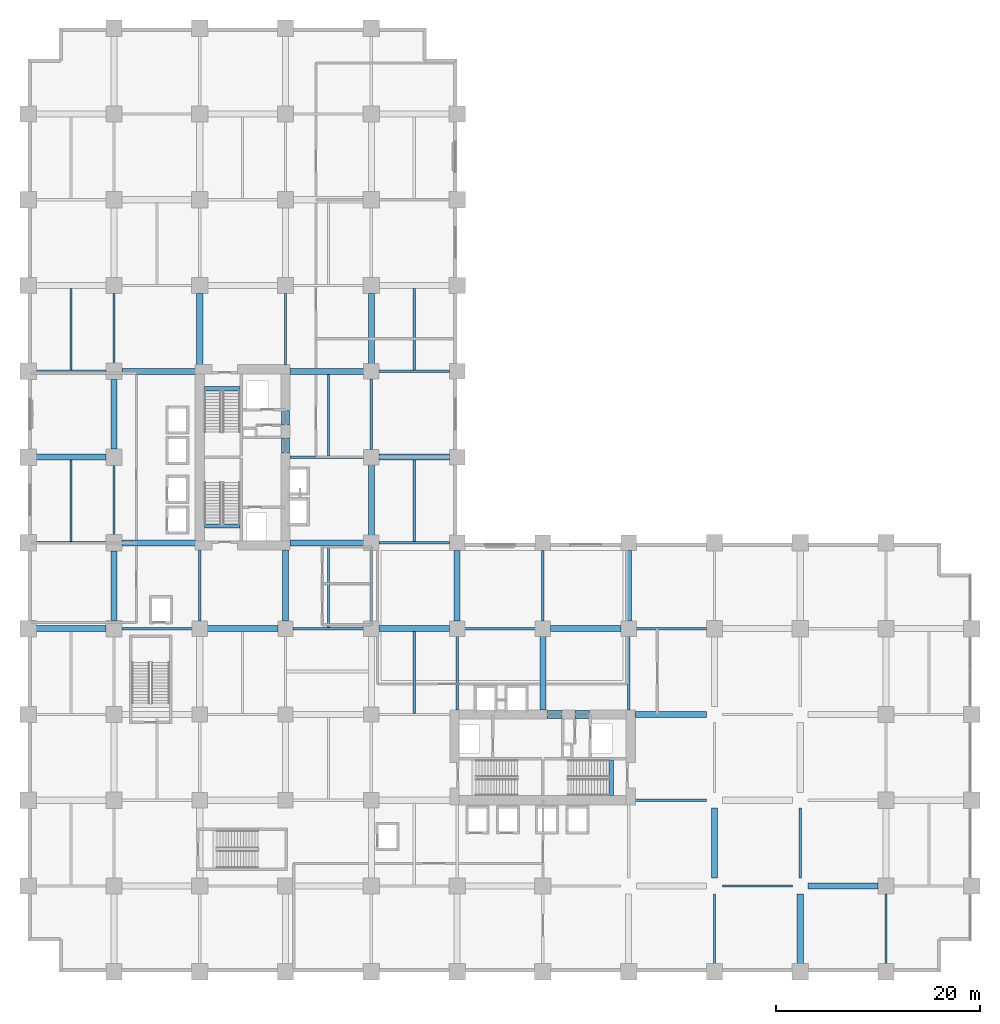
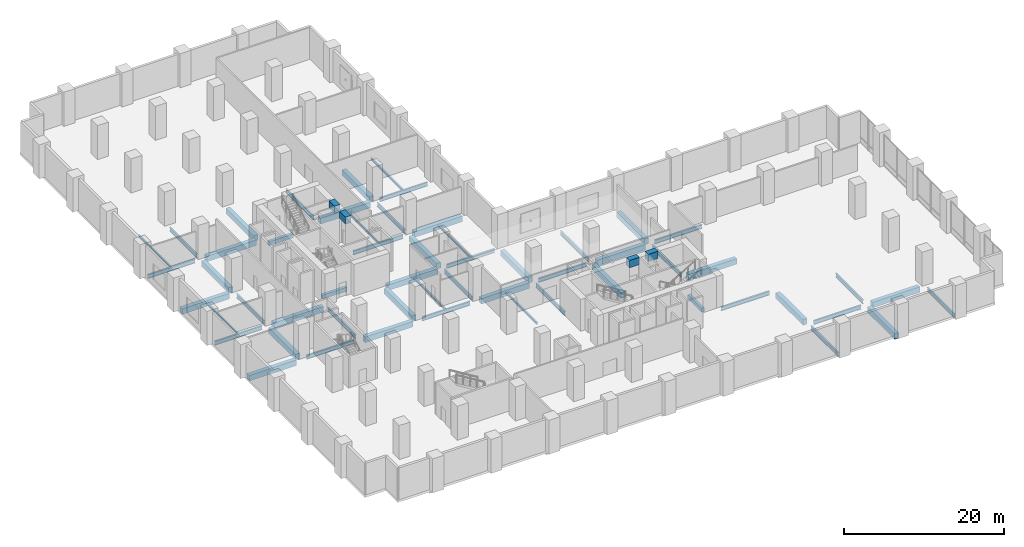
# One storey, part 2 of 19: 60 beams.
"""IFC4 building model written with IfcOpenShell, lengths in metres."""

from ifc_helpers import new_model, si_unit, direction, frame, origin, origin_2d, place, context, subcontext, project, spatial, rectangle, i_section, extrude, material, material_profile, profile_set, type_object, element, save


model = new_model("IFC4")

# Units and contexts
model_context = context("Model", 3, precision=1e-05, world=origin(), true_north=direction((0.0, 1.0)))
body_context = subcontext(model_context, "Body", "Model", "MODEL_VIEW")
ifc_project = project(units=[si_unit("LENGTHUNIT", "METRE"), si_unit("AREAUNIT", "SQUARE_METRE"), si_unit("VOLUMEUNIT", "CUBIC_METRE"), si_unit("PLANEANGLEUNIT", "RADIAN"), si_unit("MASSUNIT", "GRAM", prefix="KILO")], contexts=[model_context])

# Site, building, storey
site_placement = place(None, origin())
site = spatial("IfcSite", under=ifc_project, at=site_placement, CompositionType="ELEMENT")
building_placement = place(site_placement, origin())
building = spatial("IfcBuilding", under=site, at=building_placement, Name="Koriwani Terraces Tower", CompositionType="ELEMENT")
storey_placement = place(building_placement, frame((0.0, 0.0, 15.60009765625)))
storey = spatial("IfcBuildingStorey", under=building, at=storey_placement, Name="L03", CompositionType="ELEMENT", Elevation=15.60009765625)

# Beams
ifc_material_1 = material(Name="Concrete C60/75", Category="concrete")
ifc_material_profile_1 = material_profile(ifc_material_1, rectangle(XDim=0.800048828125, YDim=1.10009765625, at=origin_2d()), Name="Concrete C60/75", Category="LoadBearing")
ifc_profile_set_1 = profile_set([ifc_material_profile_1], Name="Concrete C60/75")
beam_type_1 = type_object("IfcBeamType", Name="BEAM_RC_COUPLING_800X1100", PredefinedType="LINTEL", material=ifc_profile_set_1)
beam_1_placement = place(storey_placement, frame((25.199951171875, 50.800048828125, 4.2998046875), z_axis=(0.0, 1.0, 0.0), x_axis=(-1.0, 0.0, 0.0)))
element("IfcBeam", 1, at=beam_1_placement, inside=storey, type_object=beam_type_1, Name="L03 Core Coupling Lintel Beam WE1", PredefinedType="LINTEL", context=body_context, shape_type="SweptSolid", body=[
    extrude(rectangle(XDim=0.800048828125, YDim=1.10009765625, at=origin_2d()), origin(), (0.0, 0.0, 1.0), 1.47998046875),
])
beam_2_placement = place(storey_placement, frame((25.199951171875, 53.550048828125, 4.2998046875), z_axis=(0.0, 1.0, 0.0), x_axis=(-1.0, 0.0, 0.0)))
element("IfcBeam", 2, at=beam_2_placement, inside=storey, type_object=beam_type_1, Name="L03 Core Coupling Lintel Beam WE2", PredefinedType="LINTEL", context=body_context, shape_type="SweptSolid", body=[
    extrude(rectangle(XDim=0.800048828125, YDim=1.10009765625, at=origin_2d()), origin(), (0.0, 0.0, 1.0), 1.39990234375),
])
beam_3_placement = place(storey_placement, frame((50.800048828125, 25.199951171875, 4.2998046875), z_axis=(1.0, 0.0, 0.0), x_axis=(0.0, 1.0, 0.0)))
element("IfcBeam", 3, at=beam_3_placement, inside=storey, type_object=beam_type_1, Name="L03 Core Coupling Lintel Beam EN1", PredefinedType="LINTEL", context=body_context, shape_type="SweptSolid", body=[
    extrude(rectangle(XDim=0.800048828125, YDim=1.10009765625, at=origin_2d()), origin(), (0.0, 0.0, 1.0), 1.47998046875),
])
beam_4_placement = place(storey_placement, frame((53.550048828125, 25.199951171875, 4.2998046875), z_axis=(1.0, 0.0, 0.0), x_axis=(0.0, 1.0, 0.0)))
element("IfcBeam", 4, at=beam_4_placement, inside=storey, type_object=beam_type_1, Name="L03 Core Coupling Lintel Beam EN2", PredefinedType="LINTEL", context=body_context, shape_type="SweptSolid", body=[
    extrude(rectangle(XDim=0.800048828125, YDim=1.10009765625, at=origin_2d()), origin(), (0.0, 0.0, 1.0), 1.39990234375),
])
ifc_material_2 = material(Name="Concrete C40/50", Category="concrete")
ifc_material_profile_2 = material_profile(ifc_material_2, rectangle(XDim=0.39990234375, YDim=0.60009765625, at=origin_2d()), Name="Concrete C40/50", Category="LoadBearing")
ifc_profile_set_2 = profile_set([ifc_material_profile_2], Name="Concrete C40/50")
beam_type_2 = type_object("IfcBeamType", Name="BEAM_RC_GRID_400X600", PredefinedType="BEAM", material=ifc_profile_set_2)
for number, where, z_axis, x_axis, name in (
    (5, (17.25, 43.655029296875, -0.300048828125), (1.0, 0.0, 0.0), (0.0, 1.0, 0.0), "L03 Stairwell Header Trimmer Beam ST-W1"),
    (6, (17.25, 57.094970703125, -0.300048828125), (1.0, 0.0, 0.0), (0.0, 1.0, 0.0), "L03 Stairwell Header Trimmer Beam ST-W2"),
    (7, (57.094970703125, 17.25, -0.300048828125), (0.0, 1.0, 0.0), (-1.0, 0.0, 0.0), "L03 Stairwell Header Trimmer Beam ST-E2"),
):
    element("IfcBeam", number, at=place(storey_placement, frame(where, z_axis=z_axis, x_axis=x_axis)), inside=storey, type_object=beam_type_2, Name=name, PredefinedType="BEAM", context=body_context, shape_type="SweptSolid", body=[
        extrude(rectangle(XDim=0.39990234375, YDim=0.60009765625, at=origin_2d()), origin(), (0.0, 0.0, 1.0), 3.5),
    ])
ifc_material_profile_3 = material_profile(ifc_material_1, rectangle(XDim=0.60009765625, YDim=0.85009765625, at=origin_2d()), Name="Concrete C60/75", Category="LoadBearing")
ifc_profile_set_3 = profile_set([ifc_material_profile_3], Name="Concrete C60/75")
beam_type_3 = type_object("IfcBeamType", Name="BEAM_RC_GRID_600X850", PredefinedType="BEAM", material=ifc_profile_set_3)
beam_5_placement = place(storey_placement, frame((76.3798828125, 8.39990234375, -0.775146484375), z_axis=(1.0, 0.0, 0.0), x_axis=(0.0, 1.0, 0.0)))
element("IfcBeam", 8, at=beam_5_placement, inside=storey, type_object=beam_type_3, Name="L03 Grid Beam B (75.6-84.0m)", PredefinedType="BEAM", context=body_context, shape_type="SweptSolid", body=[
    extrude(rectangle(XDim=0.60009765625, YDim=0.85009765625, at=origin_2d()), origin(), (0.0, 0.0, 1.0), 6.840087890625),
])
beam_6_placement = place(storey_placement, frame((59.429931640625, 25.199951171875, -0.775146484375), z_axis=(1.0, 0.0, 0.0), x_axis=(0.0, 1.0, 0.0)))
element("IfcBeam", 9, at=beam_6_placement, inside=storey, type_object=beam_type_3, Name="L03 Grid Beam D (58.8-67.2m)", PredefinedType="BEAM", context=body_context, shape_type="SweptSolid", body=[
    extrude(rectangle(XDim=0.60009765625, YDim=0.85009765625, at=origin_2d()), origin(), (0.0, 0.0, 1.0), 6.989990234375),
])
beam_7_placement = place(storey_placement, frame((0.780029296875, 33.60009765625, -0.775146484375), z_axis=(1.0, 0.0, 0.0), x_axis=(0.0, 1.0, 0.0)))
element("IfcBeam", 10, at=beam_7_placement, inside=storey, type_object=beam_type_3, Name="L03 Grid Beam E (0.0-8.4m)", PredefinedType="BEAM", context=body_context, shape_type="SweptSolid", body=[
    extrude(rectangle(XDim=0.60009765625, YDim=0.85009765625, at=origin_2d()), origin(), (0.0, 0.0, 1.0), 6.840087890625),
])
for number, where, z_axis, x_axis, name in (
    (11, (17.530029296875, 33.60009765625, -0.775146484375), (1.0, 0.0, 0.0), (0.0, 1.0, 0.0), "L03 Grid Beam E (16.8-25.2m)"),
    (12, (34.330078125, 33.60009765625, -0.775146484375), (1.0, 0.0, 0.0), (0.0, 1.0, 0.0), "L03 Grid Beam E (33.6-42.0m)"),
):
    element("IfcBeam", number, at=place(storey_placement, frame(where, z_axis=z_axis, x_axis=x_axis)), inside=storey, type_object=beam_type_3, Name=name, PredefinedType="BEAM", context=body_context, shape_type="SweptSolid", body=[
        extrude(rectangle(XDim=0.60009765625, YDim=0.85009765625, at=origin_2d()), origin(), (0.0, 0.0, 1.0), 6.93994140625),
    ])
beam_8_placement = place(storey_placement, frame((51.1298828125, 33.60009765625, -0.775146484375), z_axis=(1.0, 0.0, 0.0), x_axis=(0.0, 1.0, 0.0)))
element("IfcBeam", 13, at=beam_8_placement, inside=storey, type_object=beam_type_3, Name="L03 Grid Beam E (50.4-58.8m)", PredefinedType="BEAM", context=body_context, shape_type="SweptSolid", body=[
    extrude(rectangle(XDim=0.60009765625, YDim=0.85009765625, at=origin_2d()), origin(), (0.0, 0.0, 1.0), 6.940185546875),
])
beam_9_placement = place(storey_placement, frame((9.179931640625, 42.0, -0.775146484375), z_axis=(1.0, 0.0, 0.0), x_axis=(0.0, 1.0, 0.0)))
element("IfcBeam", 14, at=beam_9_placement, inside=storey, type_object=beam_type_3, Name="L03 Grid Beam F (8.4-16.8m)", PredefinedType="BEAM", context=body_context, shape_type="SweptSolid", body=[
    extrude(rectangle(XDim=0.60009765625, YDim=0.85009765625, at=origin_2d()), origin(), (0.0, 0.0, 1.0), 7.190185546875),
])
beam_10_placement = place(storey_placement, frame((25.6298828125, 42.0, -0.775146484375), z_axis=(1.0, 0.0, 0.0), x_axis=(0.0, 1.0, 0.0)))
element("IfcBeam", 15, at=beam_10_placement, inside=storey, type_object=beam_type_3, Name="L03 Grid Beam F (25.2-33.6m)", PredefinedType="BEAM", context=body_context, shape_type="SweptSolid", body=[
    extrude(rectangle(XDim=0.60009765625, YDim=0.85009765625, at=origin_2d()), origin(), (0.0, 0.0, 1.0), 7.240234375),
])
beam_11_placement = place(storey_placement, frame((0.780029296875, 50.39990234375, -0.775146484375), z_axis=(1.0, 0.0, 0.0), x_axis=(0.0, 1.0, 0.0)))
element("IfcBeam", 16, at=beam_11_placement, inside=storey, type_object=beam_type_3, Name="L03 Grid Beam G (0.0-8.4m)", PredefinedType="BEAM", context=body_context, shape_type="SweptSolid", body=[
    extrude(rectangle(XDim=0.60009765625, YDim=0.85009765625, at=origin_2d()), origin(), (0.0, 0.0, 1.0), 6.840087890625),
])
beam_12_placement = place(storey_placement, frame((34.330078125, 50.39990234375, -0.775146484375), z_axis=(1.0, 0.0, 0.0), x_axis=(0.0, 1.0, 0.0)))
element("IfcBeam", 17, at=beam_12_placement, inside=storey, type_object=beam_type_3, Name="L03 Grid Beam G (33.6-42.0m)", PredefinedType="BEAM", context=body_context, shape_type="SweptSolid", body=[
    extrude(rectangle(XDim=0.60009765625, YDim=0.85009765625, at=origin_2d()), origin(), (0.0, 0.0, 1.0), 6.93994140625),
])
beam_13_placement = place(storey_placement, frame((9.179931640625, 58.800048828125, -0.775146484375), z_axis=(1.0, 0.0, 0.0), x_axis=(0.0, 1.0, 0.0)))
element("IfcBeam", 18, at=beam_13_placement, inside=storey, type_object=beam_type_3, Name="L03 Grid Beam H (8.4-16.8m)", PredefinedType="BEAM", context=body_context, shape_type="SweptSolid", body=[
    extrude(rectangle(XDim=0.60009765625, YDim=0.85009765625, at=origin_2d()), origin(), (0.0, 0.0, 1.0), 7.190185546875),
])
beam_14_placement = place(storey_placement, frame((25.6298828125, 58.800048828125, -0.775146484375), z_axis=(1.0, 0.0, 0.0), x_axis=(0.0, 1.0, 0.0)))
element("IfcBeam", 19, at=beam_14_placement, inside=storey, type_object=beam_type_3, Name="L03 Grid Beam H (25.2-33.6m)", PredefinedType="BEAM", context=body_context, shape_type="SweptSolid", body=[
    extrude(rectangle(XDim=0.60009765625, YDim=0.85009765625, at=origin_2d()), origin(), (0.0, 0.0, 1.0), 7.240234375),
])
for number, where, z_axis, x_axis, name in (
    (20, (8.39990234375, 34.3798828125, -0.775146484375), (0.0, 1.0, 0.0), (-1.0, 0.0, 0.0), "L03 Grid Beam 2 (33.6-42.0m)"),
    (21, (8.39990234375, 51.179931640625, -0.775146484375), (0.0, 1.0, 0.0), (-1.0, 0.0, 0.0), "L03 Grid Beam 2 (50.4-58.8m)"),
):
    element("IfcBeam", number, at=place(storey_placement, frame(where, z_axis=z_axis, x_axis=x_axis)), inside=storey, type_object=beam_type_3, Name=name, PredefinedType="BEAM", context=body_context, shape_type="SweptSolid", body=[
        extrude(rectangle(XDim=0.60009765625, YDim=0.85009765625, at=origin_2d()), origin(), (0.0, 0.0, 1.0), 6.840087890625),
    ])
for number, where, z_axis, x_axis, name in (
    (22, (16.800048828125, 59.429931640625, -0.775146484375), (0.0, 1.0, 0.0), (-1.0, 0.0, 0.0), "L03 Grid Beam 3 (58.8-67.2m)"),
    (23, (25.199951171875, 34.330078125, -0.775146484375), (0.0, 1.0, 0.0), (-1.0, 0.0, 0.0), "L03 Grid Beam 4 (33.6-42.0m)"),
):
    element("IfcBeam", number, at=place(storey_placement, frame(where, z_axis=z_axis, x_axis=x_axis)), inside=storey, type_object=beam_type_3, Name=name, PredefinedType="BEAM", context=body_context, shape_type="SweptSolid", body=[
        extrude(rectangle(XDim=0.60009765625, YDim=0.85009765625, at=origin_2d()), origin(), (0.0, 0.0, 1.0), 6.989990234375),
    ])
beam_15_placement = place(storey_placement, frame((33.60009765625, 42.72998046875, -0.775146484375), z_axis=(0.0, 1.0, 0.0), x_axis=(-1.0, 0.0, 0.0)))
element("IfcBeam", 24, at=beam_15_placement, inside=storey, type_object=beam_type_3, Name="L03 Grid Beam 5 (42.0-50.4m)", PredefinedType="BEAM", context=body_context, shape_type="SweptSolid", body=[
    extrude(rectangle(XDim=0.60009765625, YDim=0.85009765625, at=origin_2d()), origin(), (0.0, 0.0, 1.0), 6.93994140625),
])
beam_16_placement = place(storey_placement, frame((33.60009765625, 59.530029296875, -0.775146484375), z_axis=(0.0, 1.0, 0.0), x_axis=(-1.0, 0.0, 0.0)))
element("IfcBeam", 25, at=beam_16_placement, inside=storey, type_object=beam_type_3, Name="L03 Grid Beam 5 (58.8-67.2m)", PredefinedType="BEAM", context=body_context, shape_type="SweptSolid", body=[
    extrude(rectangle(XDim=0.60009765625, YDim=0.85009765625, at=origin_2d()), origin(), (0.0, 0.0, 1.0), 6.889892578125),
])
beam_17_placement = place(storey_placement, frame((42.0, 34.330078125, -0.775146484375), z_axis=(0.0, 1.0, 0.0), x_axis=(-1.0, 0.0, 0.0)))
element("IfcBeam", 26, at=beam_17_placement, inside=storey, type_object=beam_type_3, Name="L03 Grid Beam 6 (33.6-42.0m)", PredefinedType="BEAM", context=body_context, shape_type="SweptSolid", body=[
    extrude(rectangle(XDim=0.60009765625, YDim=0.85009765625, at=origin_2d()), origin(), (0.0, 0.0, 1.0), 6.93994140625),
])
beam_18_placement = place(storey_placement, frame((50.39990234375, 25.6298828125, -0.775146484375), z_axis=(0.0, 1.0, 0.0), x_axis=(-1.0, 0.0, 0.0)))
element("IfcBeam", 27, at=beam_18_placement, inside=storey, type_object=beam_type_3, Name="L03 Grid Beam 7 (25.2-33.6m)", PredefinedType="BEAM", context=body_context, shape_type="SweptSolid", body=[
    extrude(rectangle(XDim=0.60009765625, YDim=0.85009765625, at=origin_2d()), origin(), (0.0, 0.0, 1.0), 7.240234375),
])
beam_19_placement = place(storey_placement, frame((58.800048828125, 34.330078125, -0.775146484375), z_axis=(0.0, 1.0, 0.0), x_axis=(-1.0, 0.0, 0.0)))
element("IfcBeam", 28, at=beam_19_placement, inside=storey, type_object=beam_type_3, Name="L03 Grid Beam 8 (33.6-42.0m)", PredefinedType="BEAM", context=body_context, shape_type="SweptSolid", body=[
    extrude(rectangle(XDim=0.60009765625, YDim=0.85009765625, at=origin_2d()), origin(), (0.0, 0.0, 1.0), 6.93994140625),
])
for number, where, z_axis, x_axis, name in (
    (29, (67.199951171875, 9.179931640625, -0.775146484375), (0.0, 1.0, 0.0), (-1.0, 0.0, 0.0), "L03 Grid Beam 9 (8.4-16.8m)"),
    (30, (75.60009765625, 0.780029296875, -0.775146484375), (0.0, 1.0, 0.0), (-1.0, 0.0, 0.0), "L03 Grid Beam 10 (0.0-8.4m)"),
):
    element("IfcBeam", number, at=place(storey_placement, frame(where, z_axis=z_axis, x_axis=x_axis)), inside=storey, type_object=beam_type_3, Name=name, PredefinedType="BEAM", context=body_context, shape_type="SweptSolid", body=[
        extrude(rectangle(XDim=0.60009765625, YDim=0.85009765625, at=origin_2d()), origin(), (0.0, 0.0, 1.0), 6.840087890625),
    ])
ifc_material_3 = material(Name="Steel ASTM A572 Grade 50", Category="steel")
ifc_material_profile_4 = material_profile(ifc_material_3, i_section(OverallWidth=0.205078125, OverallDepth=0.31005859375, WebThickness=0.009521484375, FlangeThickness=0.016357421875, at=origin_2d()), Name="Steel ASTM A572 Grade 50", Category="LoadBearing")
ifc_profile_set_4 = profile_set([ifc_material_profile_4], Name="Steel ASTM A572 Grade 50")
beam_type_4 = type_object("IfcBeamType", Name="STEEL_BEAM_W310X74", PredefinedType="JOIST", material=ifc_profile_set_4)
beam_20_placement = place(storey_placement, frame((4.199951171875, 42.1044921875, -0.505126953125), z_axis=(0.0, 1.0, 0.0), x_axis=(-1.0, 0.0, 0.0)))
element("IfcBeam", 31, at=beam_20_placement, inside=storey, type_object=beam_type_4, Name="L03 Secondary Steel Floor Joist X=4.2m", PredefinedType="JOIST", context=body_context, shape_type="SweptSolid", body=[
    extrude(i_section(OverallWidth=0.205078125, OverallDepth=0.31005859375, WebThickness=0.009521484375, FlangeThickness=0.016357421875, at=origin_2d()), origin(), (0.0, 0.0, 1.0), 8.005615234375),
])
for number, where, z_axis, x_axis, name in (
    (32, (4.199951171875, 58.904541015625, -0.505126953125), (0.0, 1.0, 0.0), (-1.0, 0.0, 0.0), "L03 Secondary Steel Floor Joist X=4.2m"),
    (33, (29.39990234375, 33.70458984375, -0.505126953125), (0.0, 1.0, 0.0), (-1.0, 0.0, 0.0), "L03 Secondary Steel Floor Joist X=29.4m"),
):
    element("IfcBeam", number, at=place(storey_placement, frame(where, z_axis=z_axis, x_axis=x_axis)), inside=storey, type_object=beam_type_4, Name=name, PredefinedType="JOIST", context=body_context, shape_type="SweptSolid", body=[
        extrude(i_section(OverallWidth=0.205078125, OverallDepth=0.31005859375, WebThickness=0.009521484375, FlangeThickness=0.016357421875, at=origin_2d()), origin(), (0.0, 0.0, 1.0), 8.00537109375),
    ])
for number, where, z_axis, x_axis, name in (
    (34, (29.39990234375, 50.50439453125, -0.505126953125), (0.0, 1.0, 0.0), (-1.0, 0.0, 0.0), "L03 Secondary Steel Floor Joist X=29.4m"),
    (35, (37.800048828125, 25.304443359375, -0.505126953125), (0.0, 1.0, 0.0), (-1.0, 0.0, 0.0), "L03 Secondary Steel Floor Joist X=37.8m"),
    (36, (37.800048828125, 42.1044921875, -0.505126953125), (0.0, 1.0, 0.0), (-1.0, 0.0, 0.0), "L03 Secondary Steel Floor Joist X=37.8m"),
):
    element("IfcBeam", number, at=place(storey_placement, frame(where, z_axis=z_axis, x_axis=x_axis)), inside=storey, type_object=beam_type_4, Name=name, PredefinedType="JOIST", context=body_context, shape_type="SweptSolid", body=[
        extrude(i_section(OverallWidth=0.205078125, OverallDepth=0.31005859375, WebThickness=0.009521484375, FlangeThickness=0.016357421875, at=origin_2d()), origin(), (0.0, 0.0, 1.0), 8.005615234375),
    ])
beam_21_placement = place(storey_placement, frame((37.800048828125, 58.904541015625, -0.505126953125), z_axis=(0.0, 1.0, 0.0), x_axis=(-1.0, 0.0, 0.0)))
element("IfcBeam", 37, at=beam_21_placement, inside=storey, type_object=beam_type_4, Name="L03 Secondary Steel Floor Joist X=37.8m", PredefinedType="JOIST", context=body_context, shape_type="SweptSolid", body=[
    extrude(i_section(OverallWidth=0.205078125, OverallDepth=0.31005859375, WebThickness=0.009521484375, FlangeThickness=0.016357421875, at=origin_2d()), origin(), (0.0, 0.0, 1.0), 8.00537109375),
])
ifc_material_profile_5 = material_profile(ifc_material_3, i_section(OverallWidth=0.22900390625, OverallDepth=0.611083984375, WebThickness=0.0126953125, FlangeThickness=0.022216796875, at=origin_2d()), Name="Steel ASTM A572 Grade 50", Category="LoadBearing")
ifc_profile_set_5 = profile_set([ifc_material_profile_5], Name="Steel ASTM A572 Grade 50")
beam_type_5 = type_object("IfcBeamType", Name="STEEL_BEAM_W610X155", PredefinedType="BEAM", material=ifc_profile_set_5)
beam_22_placement = place(storey_placement, frame((67.97998046875, 8.39990234375, -0.655517578125), z_axis=(1.0, 0.0, 0.0), x_axis=(0.0, 1.0, 0.0)))
element("IfcBeam", 38, at=beam_22_placement, inside=storey, type_object=beam_type_5, Name="L03 Grid Beam B (67.2-75.6m)", PredefinedType="BEAM", context=body_context, shape_type="SweptSolid", body=[
    extrude(i_section(OverallWidth=0.22900390625, OverallDepth=0.611083984375, WebThickness=0.0126953125, FlangeThickness=0.022216796875, at=origin_2d()), origin(), (0.0, 0.0, 1.0), 6.840087890625),
])
beam_23_placement = place(storey_placement, frame((59.429931640625, 16.800048828125, -0.655517578125), z_axis=(1.0, 0.0, 0.0), x_axis=(0.0, 1.0, 0.0)))
element("IfcBeam", 39, at=beam_23_placement, inside=storey, type_object=beam_type_5, Name="L03 Grid Beam C (58.8-67.2m)", PredefinedType="BEAM", context=body_context, shape_type="SweptSolid", body=[
    extrude(i_section(OverallWidth=0.22900390625, OverallDepth=0.611083984375, WebThickness=0.0126953125, FlangeThickness=0.022216796875, at=origin_2d()), origin(), (0.0, 0.0, 1.0), 6.989990234375),
])
beam_24_placement = place(storey_placement, frame((9.179931640625, 33.60009765625, -0.655517578125), z_axis=(1.0, 0.0, 0.0), x_axis=(0.0, 1.0, 0.0)))
element("IfcBeam", 40, at=beam_24_placement, inside=storey, type_object=beam_type_5, Name="L03 Grid Beam E (8.4-16.8m)", PredefinedType="BEAM", context=body_context, shape_type="SweptSolid", body=[
    extrude(i_section(OverallWidth=0.22900390625, OverallDepth=0.611083984375, WebThickness=0.0126953125, FlangeThickness=0.022216796875, at=origin_2d()), origin(), (0.0, 0.0, 1.0), 6.89013671875),
])
beam_25_placement = place(storey_placement, frame((25.929931640625, 33.60009765625, -0.655517578125), z_axis=(1.0, 0.0, 0.0), x_axis=(0.0, 1.0, 0.0)))
element("IfcBeam", 41, at=beam_25_placement, inside=storey, type_object=beam_type_5, Name="L03 Grid Beam E (25.2-33.6m)", PredefinedType="BEAM", context=body_context, shape_type="SweptSolid", body=[
    extrude(i_section(OverallWidth=0.22900390625, OverallDepth=0.611083984375, WebThickness=0.0126953125, FlangeThickness=0.022216796875, at=origin_2d()), origin(), (0.0, 0.0, 1.0), 6.940185546875),
])
beam_26_placement = place(storey_placement, frame((42.72998046875, 33.60009765625, -0.655517578125), z_axis=(1.0, 0.0, 0.0), x_axis=(0.0, 1.0, 0.0)))
element("IfcBeam", 42, at=beam_26_placement, inside=storey, type_object=beam_type_5, Name="L03 Grid Beam E (42.0-50.4m)", PredefinedType="BEAM", context=body_context, shape_type="SweptSolid", body=[
    extrude(i_section(OverallWidth=0.22900390625, OverallDepth=0.611083984375, WebThickness=0.0126953125, FlangeThickness=0.022216796875, at=origin_2d()), origin(), (0.0, 0.0, 1.0), 6.93994140625),
])
beam_27_placement = place(storey_placement, frame((59.530029296875, 33.60009765625, -0.655517578125), z_axis=(1.0, 0.0, 0.0), x_axis=(0.0, 1.0, 0.0)))
element("IfcBeam", 43, at=beam_27_placement, inside=storey, type_object=beam_type_5, Name="L03 Grid Beam E (58.8-67.2m)", PredefinedType="BEAM", context=body_context, shape_type="SweptSolid", body=[
    extrude(i_section(OverallWidth=0.22900390625, OverallDepth=0.611083984375, WebThickness=0.0126953125, FlangeThickness=0.022216796875, at=origin_2d()), origin(), (0.0, 0.0, 1.0), 6.889892578125),
])
beam_28_placement = place(storey_placement, frame((0.780029296875, 42.0, -0.655517578125), z_axis=(1.0, 0.0, 0.0), x_axis=(0.0, 1.0, 0.0)))
element("IfcBeam", 44, at=beam_28_placement, inside=storey, type_object=beam_type_5, Name="L03 Grid Beam F (0.0-8.4m)", PredefinedType="BEAM", context=body_context, shape_type="SweptSolid", body=[
    extrude(i_section(OverallWidth=0.22900390625, OverallDepth=0.611083984375, WebThickness=0.0126953125, FlangeThickness=0.022216796875, at=origin_2d()), origin(), (0.0, 0.0, 1.0), 6.840087890625),
])
beam_29_placement = place(storey_placement, frame((34.330078125, 42.0, -0.655517578125), z_axis=(1.0, 0.0, 0.0), x_axis=(0.0, 1.0, 0.0)))
element("IfcBeam", 45, at=beam_29_placement, inside=storey, type_object=beam_type_5, Name="L03 Grid Beam F (33.6-42.0m)", PredefinedType="BEAM", context=body_context, shape_type="SweptSolid", body=[
    extrude(i_section(OverallWidth=0.22900390625, OverallDepth=0.611083984375, WebThickness=0.0126953125, FlangeThickness=0.022216796875, at=origin_2d()), origin(), (0.0, 0.0, 1.0), 6.93994140625),
])
beam_30_placement = place(storey_placement, frame((25.6298828125, 50.39990234375, -0.655517578125), z_axis=(1.0, 0.0, 0.0), x_axis=(0.0, 1.0, 0.0)))
element("IfcBeam", 46, at=beam_30_placement, inside=storey, type_object=beam_type_5, Name="L03 Grid Beam G (25.2-33.6m)", PredefinedType="BEAM", context=body_context, shape_type="SweptSolid", body=[
    extrude(i_section(OverallWidth=0.22900390625, OverallDepth=0.611083984375, WebThickness=0.0126953125, FlangeThickness=0.022216796875, at=origin_2d()), origin(), (0.0, 0.0, 1.0), 7.240234375),
])
beam_31_placement = place(storey_placement, frame((0.780029296875, 58.800048828125, -0.655517578125), z_axis=(1.0, 0.0, 0.0), x_axis=(0.0, 1.0, 0.0)))
element("IfcBeam", 47, at=beam_31_placement, inside=storey, type_object=beam_type_5, Name="L03 Grid Beam H (0.0-8.4m)", PredefinedType="BEAM", context=body_context, shape_type="SweptSolid", body=[
    extrude(i_section(OverallWidth=0.22900390625, OverallDepth=0.611083984375, WebThickness=0.0126953125, FlangeThickness=0.022216796875, at=origin_2d()), origin(), (0.0, 0.0, 1.0), 6.840087890625),
])
beam_32_placement = place(storey_placement, frame((34.330078125, 58.800048828125, -0.655517578125), z_axis=(1.0, 0.0, 0.0), x_axis=(0.0, 1.0, 0.0)))
element("IfcBeam", 48, at=beam_32_placement, inside=storey, type_object=beam_type_5, Name="L03 Grid Beam H (33.6-42.0m)", PredefinedType="BEAM", context=body_context, shape_type="SweptSolid", body=[
    extrude(i_section(OverallWidth=0.22900390625, OverallDepth=0.611083984375, WebThickness=0.0126953125, FlangeThickness=0.022216796875, at=origin_2d()), origin(), (0.0, 0.0, 1.0), 6.93994140625),
])
beam_33_placement = place(storey_placement, frame((8.39990234375, 42.780029296875, -0.655517578125), z_axis=(0.0, 1.0, 0.0), x_axis=(-1.0, 0.0, 0.0)))
element("IfcBeam", 49, at=beam_33_placement, inside=storey, type_object=beam_type_5, Name="L03 Grid Beam 2 (42.0-50.4m)", PredefinedType="BEAM", context=body_context, shape_type="SweptSolid", body=[
    extrude(i_section(OverallWidth=0.22900390625, OverallDepth=0.611083984375, WebThickness=0.0126953125, FlangeThickness=0.022216796875, at=origin_2d()), origin(), (0.0, 0.0, 1.0), 6.840087890625),
])
beam_34_placement = place(storey_placement, frame((8.39990234375, 59.580078125, -0.655517578125), z_axis=(0.0, 1.0, 0.0), x_axis=(-1.0, 0.0, 0.0)))
element("IfcBeam", 50, at=beam_34_placement, inside=storey, type_object=beam_type_5, Name="L03 Grid Beam 2 (58.8-67.2m)", PredefinedType="BEAM", context=body_context, shape_type="SweptSolid", body=[
    extrude(i_section(OverallWidth=0.22900390625, OverallDepth=0.611083984375, WebThickness=0.0126953125, FlangeThickness=0.022216796875, at=origin_2d()), origin(), (0.0, 0.0, 1.0), 6.83984375),
])
for number, where, z_axis, x_axis, name in (
    (51, (16.800048828125, 34.330078125, -0.655517578125), (0.0, 1.0, 0.0), (-1.0, 0.0, 0.0), "L03 Grid Beam 3 (33.6-42.0m)"),
    (52, (25.199951171875, 59.429931640625, -0.655517578125), (0.0, 1.0, 0.0), (-1.0, 0.0, 0.0), "L03 Grid Beam 4 (58.8-67.2m)"),
):
    element("IfcBeam", number, at=place(storey_placement, frame(where, z_axis=z_axis, x_axis=x_axis)), inside=storey, type_object=beam_type_5, Name=name, PredefinedType="BEAM", context=body_context, shape_type="SweptSolid", body=[
        extrude(i_section(OverallWidth=0.22900390625, OverallDepth=0.611083984375, WebThickness=0.0126953125, FlangeThickness=0.022216796875, at=origin_2d()), origin(), (0.0, 0.0, 1.0), 6.989990234375),
    ])
beam_35_placement = place(storey_placement, frame((33.60009765625, 34.330078125, -0.655517578125), z_axis=(0.0, 1.0, 0.0), x_axis=(-1.0, 0.0, 0.0)))
element("IfcBeam", 53, at=beam_35_placement, inside=storey, type_object=beam_type_5, Name="L03 Grid Beam 5 (33.6-42.0m)", PredefinedType="BEAM", context=body_context, shape_type="SweptSolid", body=[
    extrude(i_section(OverallWidth=0.22900390625, OverallDepth=0.611083984375, WebThickness=0.0126953125, FlangeThickness=0.022216796875, at=origin_2d()), origin(), (0.0, 0.0, 1.0), 6.93994140625),
])
beam_36_placement = place(storey_placement, frame((33.60009765625, 51.1298828125, -0.655517578125), z_axis=(0.0, 1.0, 0.0), x_axis=(-1.0, 0.0, 0.0)))
element("IfcBeam", 54, at=beam_36_placement, inside=storey, type_object=beam_type_5, Name="L03 Grid Beam 5 (50.4-58.8m)", PredefinedType="BEAM", context=body_context, shape_type="SweptSolid", body=[
    extrude(i_section(OverallWidth=0.22900390625, OverallDepth=0.611083984375, WebThickness=0.0126953125, FlangeThickness=0.022216796875, at=origin_2d()), origin(), (0.0, 0.0, 1.0), 6.940185546875),
])
beam_37_placement = place(storey_placement, frame((42.0, 25.6298828125, -0.655517578125), z_axis=(0.0, 1.0, 0.0), x_axis=(-1.0, 0.0, 0.0)))
element("IfcBeam", 55, at=beam_37_placement, inside=storey, type_object=beam_type_5, Name="L03 Grid Beam 6 (25.2-33.6m)", PredefinedType="BEAM", context=body_context, shape_type="SweptSolid", body=[
    extrude(i_section(OverallWidth=0.22900390625, OverallDepth=0.611083984375, WebThickness=0.0126953125, FlangeThickness=0.022216796875, at=origin_2d()), origin(), (0.0, 0.0, 1.0), 7.240234375),
])
beam_38_placement = place(storey_placement, frame((50.39990234375, 34.330078125, -0.655517578125), z_axis=(0.0, 1.0, 0.0), x_axis=(-1.0, 0.0, 0.0)))
element("IfcBeam", 56, at=beam_38_placement, inside=storey, type_object=beam_type_5, Name="L03 Grid Beam 7 (33.6-42.0m)", PredefinedType="BEAM", context=body_context, shape_type="SweptSolid", body=[
    extrude(i_section(OverallWidth=0.22900390625, OverallDepth=0.611083984375, WebThickness=0.0126953125, FlangeThickness=0.022216796875, at=origin_2d()), origin(), (0.0, 0.0, 1.0), 6.93994140625),
])
beam_39_placement = place(storey_placement, frame((58.800048828125, 25.6298828125, -0.655517578125), z_axis=(0.0, 1.0, 0.0), x_axis=(-1.0, 0.0, 0.0)))
element("IfcBeam", 57, at=beam_39_placement, inside=storey, type_object=beam_type_5, Name="L03 Grid Beam 8 (25.2-33.6m)", PredefinedType="BEAM", context=body_context, shape_type="SweptSolid", body=[
    extrude(i_section(OverallWidth=0.22900390625, OverallDepth=0.611083984375, WebThickness=0.0126953125, FlangeThickness=0.022216796875, at=origin_2d()), origin(), (0.0, 0.0, 1.0), 7.240234375),
])
for number, where, z_axis, x_axis, name in (
    (58, (67.199951171875, 0.780029296875, -0.655517578125), (0.0, 1.0, 0.0), (-1.0, 0.0, 0.0), "L03 Grid Beam 9 (0.0-8.4m)"),
    (59, (75.60009765625, 9.179931640625, -0.655517578125), (0.0, 1.0, 0.0), (-1.0, 0.0, 0.0), "L03 Grid Beam 10 (8.4-16.8m)"),
    (60, (84.0, 0.780029296875, -0.655517578125), (0.0, 1.0, 0.0), (-1.0, 0.0, 0.0), "L03 Grid Beam 11 (0.0-8.4m)"),
):
    element("IfcBeam", number, at=place(storey_placement, frame(where, z_axis=z_axis, x_axis=x_axis)), inside=storey, type_object=beam_type_5, Name=name, PredefinedType="BEAM", context=body_context, shape_type="SweptSolid", body=[
        extrude(i_section(OverallWidth=0.22900390625, OverallDepth=0.611083984375, WebThickness=0.0126953125, FlangeThickness=0.022216796875, at=origin_2d()), origin(), (0.0, 0.0, 1.0), 6.840087890625),
    ])

save(model, "model.ifc")
